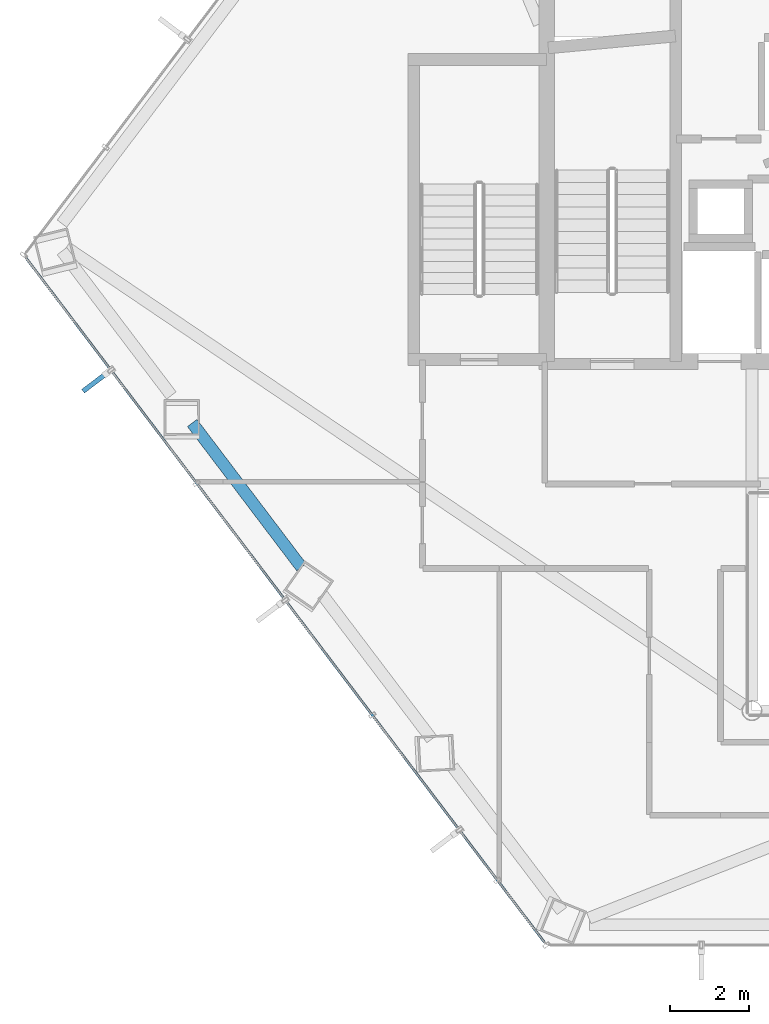
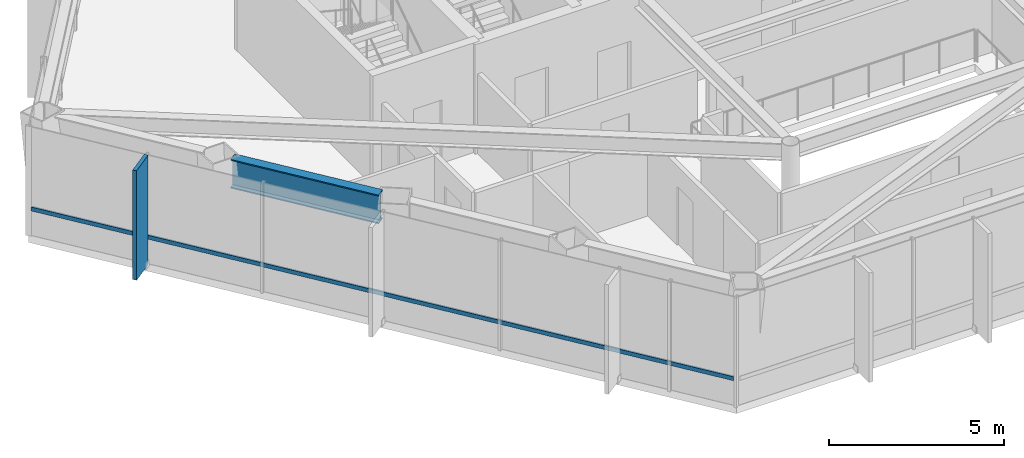
# One storey, part 3 of 26: 2 members, 1 beam, 1 element without a shape of its own.
"""IFC4 building model written with IfcOpenShell, lengths in metres."""

from ifc_helpers import new_model, si_unit, direction, frame, origin, origin_2d, place, context, subcontext, project, spatial, rectangle, hollow_rectangle, i_section, extrude, material, layer, layer_set, material_profile, profile_set, type_object, element, aggregate, save


model = new_model("IFC4")

# Units and contexts
model_context = context("Model", 3, precision=1e-05, world=origin(), true_north=direction((0.0, 1.0)))
body_context = subcontext(model_context, "Body", "Model", "MODEL_VIEW")
ifc_project = project(units=[si_unit("LENGTHUNIT", "METRE"), si_unit("AREAUNIT", "SQUARE_METRE"), si_unit("VOLUMEUNIT", "CUBIC_METRE"), si_unit("PLANEANGLEUNIT", "RADIAN"), si_unit("MASSUNIT", "GRAM", prefix="KILO")], contexts=[model_context])

# Site, building, storey
site_placement = place(None, origin())
site = spatial("IfcSite", under=ifc_project, at=site_placement, CompositionType="ELEMENT")
building_placement = place(site_placement, origin())
building = spatial("IfcBuilding", under=site, at=building_placement, Name="Zarrinselat Tower", CompositionType="ELEMENT")
storey_placement = place(building_placement, frame((0.0, 0.0, 92.820068359375)))
storey = spatial("IfcBuildingStorey", under=building, at=storey_placement, Name="L22", CompositionType="ELEMENT", Elevation=92.820068359375)

# Beam
ifc_material_1 = material(Name="Steel S460M", Category="steel")
ifc_material_profile_1 = material_profile(ifc_material_1, i_section(OverallWidth=0.302001953125, OverallDepth=1.008056640625, WebThickness=0.02099609375, FlangeThickness=0.0400390625, at=origin_2d()), Name="HEM 1000")
ifc_profile_set_1 = profile_set([ifc_material_profile_1], Name="Steel S460M")
beam_type = type_object("IfcBeamType", Name="BM-HEM1000", PredefinedType="BEAM", material=ifc_profile_set_1)
beam_placement = place(storey_placement, frame((19.61572265625, 31.69189453125, 3.31591796875), z_axis=(0.603833098178, -0.797110776206, 0.0), x_axis=(0.797110776206, 0.603833098178, 0.0)))
element("IfcBeam", 1, at=beam_placement, inside=storey, type_object=beam_type, Name="L22 Perimeter Spandrel Girder SP07", PredefinedType="BEAM", context=body_context, shape_type="SweptSolid", body=[
    extrude(i_section(OverallWidth=0.302001953125, OverallDepth=1.008056640625, WebThickness=0.02099609375, FlangeThickness=0.0400390625, at=origin_2d()), origin(), (0.0, 0.0, 1.0), 4.587890625),
])

# Curtain wall, members
ifc_material_2 = material(Name="Extruded Aluminium Alloy EN AW-6063 T6", Category="aluminium")
ifc_layer = layer(ifc_material_2, 0.18505859375)
ifc_layer_set = layer_set([ifc_layer], Name="Extruded Aluminium Alloy EN AW-6063 T6")
curtain_wall_type = type_object("IfcCurtainWallType", Name="CWS-OFF", PredefinedType="NOTDEFINED", material=ifc_layer_set)
curtain_wall_placement = place(storey_placement, origin())
curtain_wall = element("IfcCurtainWall", 2, at=curtain_wall_placement, inside=storey, type_object=curtain_wall_type, Name="L22 Unitised Curtain Wall CW-L22-E03", PredefinedType="NOTDEFINED")
ifc_material_3 = material(Name="Extruded Aluminium Alloy EN AW-6063 T6", Category="aluminium")
ifc_material_profile_2 = material_profile(ifc_material_3, hollow_rectangle(XDim=0.06005859375, YDim=0.139892578125, WallThickness=0.00390625, at=origin_2d()), Name="RHS 140x60x4")
ifc_profile_set_2 = profile_set([ifc_material_profile_2], Name="Extruded Aluminium Alloy EN AW-6063 T6")
member_type_1 = type_object("IfcMemberType", Name="MEM-CW-TRN", PredefinedType="USERDEFINED", material=ifc_profile_set_2)
member_1_placement = place(storey_placement, frame((15.402099609375, 35.8740234375, 0.949951171875), z_axis=(0.603853151009, -0.797095585245, 0.0), x_axis=(0.797095585245, 0.603853151009, 0.0)))
member_1 = element("IfcMember", 3, at=member_1_placement, type_object=member_type_1, Name="CW-L22-E03 Transom 1", ObjectType="TRANSOM", PredefinedType="USERDEFINED", context=body_context, shape_type="SweptSolid", body=[
    extrude(hollow_rectangle(XDim=0.06005859375, YDim=0.139892578125, WallThickness=0.00390625, at=origin_2d()), origin(), (0.0, 0.0, 1.0), 21.7568359375),
])
ifc_material_4 = material(Name="Honed Cream Travertine Stone", Category="masonry")
ifc_material_profile_3 = material_profile(ifc_material_4, rectangle(XDim=0.1201171875, YDim=0.85009765625, at=origin_2d()), Name="FIN 850x120")
ifc_profile_set_3 = profile_set([ifc_material_profile_3], Name="Honed Cream Travertine Stone")
member_type_2 = type_object("IfcMemberType", Name="MEM-STONE-FIN", PredefinedType="USERDEFINED", material=ifc_profile_set_3)
member_2_placement = place(storey_placement, frame((17.188720703125, 32.753662109375, 0.0), z_axis=(0.0, 0.0, 1.0), x_axis=(-0.603856459269, 0.797093079006, 0.0)))
member_2 = element("IfcMember", 4, at=member_2_placement, type_object=member_type_2, Name="L22 Stone Shading Fin CW-L22-E03-01", ObjectType="FIN", PredefinedType="USERDEFINED", context=body_context, shape_type="SweptSolid", body=[
    extrude(rectangle(XDim=0.1201171875, YDim=0.85009765625, at=origin_2d()), origin(), (0.0, 0.0, 1.0), 3.81982421875),
])
aggregate(curtain_wall, [member_2, member_1])

save(model, "model.ifc")
